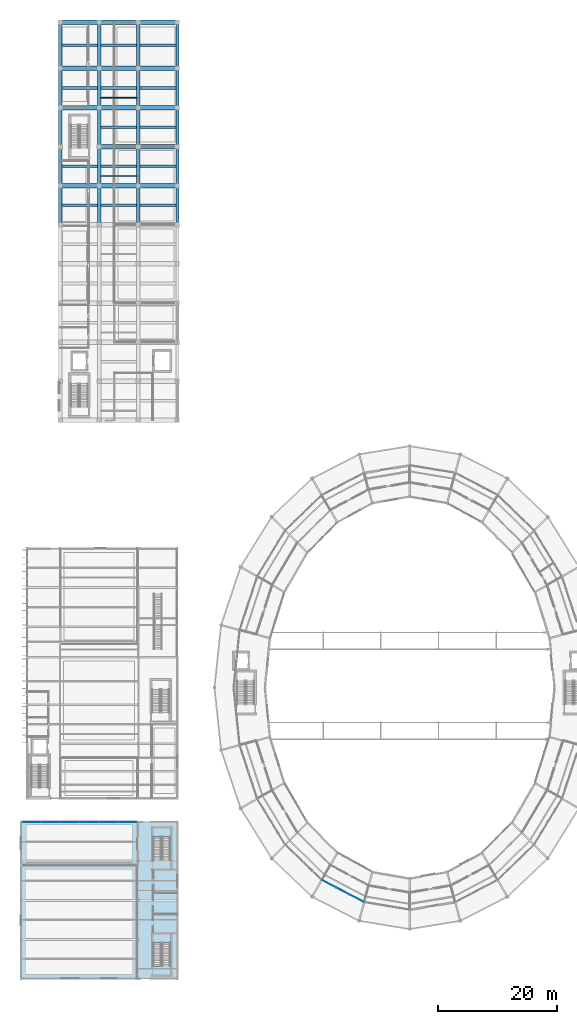
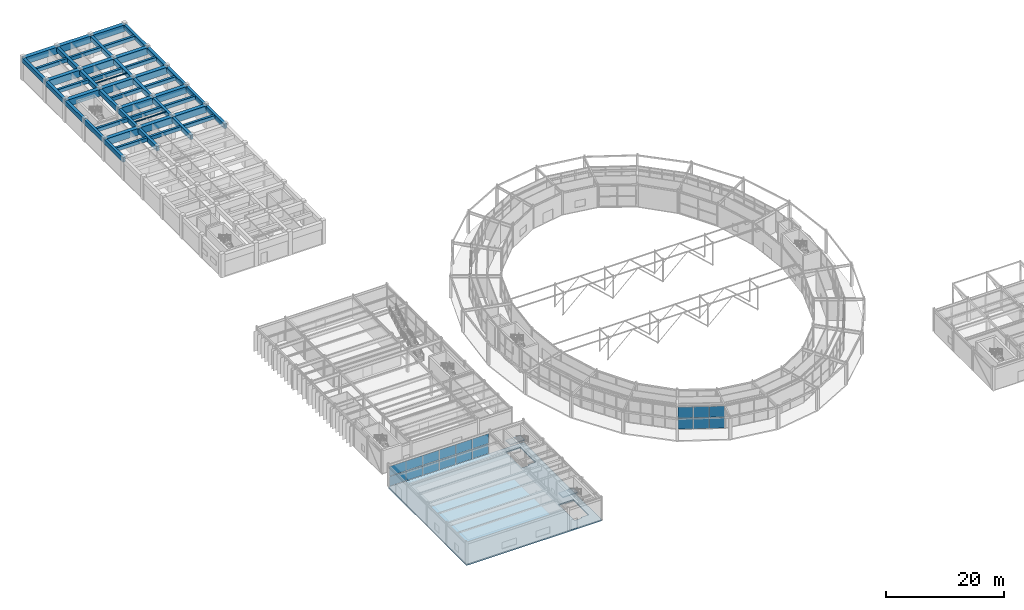
# One storey, part 99 of 144: 50 beams, 18 plates, 3 slabs, 4 elements without a shape of their own.
"""IFC4 building model written with IfcOpenShell, lengths in metres."""

from ifc_helpers import new_model, si_unit, direction, frame, origin, origin_2d, place, context, subcontext, project, spatial, polyline, rectangle, i_section, outline, extrude, material, layer, layer_set, material_profile, profile_set, type_object, element, aggregate, save


model = new_model("IFC4")

# Units and contexts
model_context = context("Model", 3, precision=1e-05, world=origin(), true_north=direction((0.0, 1.0)))
body_context = subcontext(model_context, "Body", "Model", "MODEL_VIEW")
ifc_project = project(units=[si_unit("LENGTHUNIT", "METRE"), si_unit("AREAUNIT", "SQUARE_METRE"), si_unit("VOLUMEUNIT", "CUBIC_METRE"), si_unit("PLANEANGLEUNIT", "RADIAN"), si_unit("MASSUNIT", "GRAM", prefix="KILO")], contexts=[model_context])

# Site, building, storey
site_placement = place(None, origin())
site = spatial("IfcSite", under=ifc_project, at=site_placement, CompositionType="ELEMENT")
building_placement = place(site_placement, origin())
building = spatial("IfcBuilding", under=site, at=building_placement, Name="Karori Crest Natural Sciences Institute", CompositionType="ELEMENT")
storey_placement = place(building_placement, origin())
storey = spatial("IfcBuildingStorey", under=building, at=storey_placement, Name="L00", CompositionType="ELEMENT", Elevation=0.0)

# Beams
ifc_material_1 = material(Name="Concrete 50 MPa", Category="concrete")
ifc_material_profile_1 = material_profile(ifc_material_1, rectangle(XDim=0.75, YDim=1.39990234375, at=origin_2d()), Name="RCB750x1400")
ifc_profile_set_1 = profile_set([ifc_material_profile_1], Name="Concrete 50 MPa")
beam_type_1 = type_object("IfcBeamType", Name="BT-17", PredefinedType="BEAM", material=ifc_profile_set_1)
for number, where, z_axis, x_axis, name in (
    (1, (7.39990234375, 162.199951171875, 3.85009765625), (1.0, 0.0, 0.0), (0.0, 1.0, 0.0), "Beam B-1375"),
    (2, (14.0, 162.199951171875, 3.85009765625), (1.0, 0.0, 0.0), (0.0, 1.0, 0.0), "Beam B-1376"),
):
    element("IfcBeam", number, at=place(storey_placement, frame(where, z_axis=z_axis, x_axis=x_axis)), inside=storey, type_object=beam_type_1, Name=name, PredefinedType="BEAM", context=body_context, shape_type="SweptSolid", body=[
        extrude(rectangle(XDim=0.75, YDim=1.39990234375, at=origin_2d()), origin(), (0.0, 0.0, 1.0), 6.60009765625),
    ])
beam_1_placement = place(storey_placement, frame((20.60009765625, 162.199951171875, 3.85009765625), z_axis=(1.0, 0.0, 0.0), x_axis=(0.0, 1.0, 0.0)))
element("IfcBeam", 3, at=beam_1_placement, inside=storey, type_object=beam_type_1, Name="Beam B-1377", PredefinedType="BEAM", context=body_context, shape_type="SweptSolid", body=[
    extrude(rectangle(XDim=0.75, YDim=1.39990234375, at=origin_2d()), origin(), (0.0, 0.0, 1.0), 6.599853515625),
])
ifc_material_profile_2 = material_profile(ifc_material_1, rectangle(XDim=0.75, YDim=1.39990234375, at=origin_2d()), Name="RCB750x1400")
ifc_profile_set_2 = profile_set([ifc_material_profile_2], Name="Concrete 50 MPa")
beam_type_2 = type_object("IfcBeamType", Name="BT-17-IL", PredefinedType="BEAM", material=ifc_profile_set_2)
for number, where, z_axis, x_axis, name in (
    (4, (7.39990234375, 134.60009765625, 3.85009765625), (1.0, 0.0, 0.0), (0.0, 1.0, 0.0), "Beam B-1364"),
    (5, (14.0, 134.60009765625, 3.85009765625), (1.0, 0.0, 0.0), (0.0, 1.0, 0.0), "Beam B-1365"),
):
    element("IfcBeam", number, at=place(storey_placement, frame(where, z_axis=z_axis, x_axis=x_axis)), inside=storey, type_object=beam_type_2, Name=name, PredefinedType="BEAM", context=body_context, shape_type="SweptSolid", body=[
        extrude(rectangle(XDim=0.75, YDim=1.39990234375, at=origin_2d()), origin(), (0.0, 0.0, 1.0), 6.60009765625),
    ])
beam_2_placement = place(storey_placement, frame((20.60009765625, 134.60009765625, 3.85009765625), z_axis=(1.0, 0.0, 0.0), x_axis=(0.0, 1.0, 0.0)))
element("IfcBeam", 6, at=beam_2_placement, inside=storey, type_object=beam_type_2, Name="Beam B-1366", PredefinedType="BEAM", context=body_context, shape_type="SweptSolid", body=[
    extrude(rectangle(XDim=0.75, YDim=1.39990234375, at=origin_2d()), origin(), (0.0, 0.0, 1.0), 6.599853515625),
])
beam_3_placement = place(storey_placement, frame((14.0, 141.199951171875, 3.85009765625), z_axis=(1.0, 0.0, 0.0), x_axis=(0.0, 1.0, 0.0)))
element("IfcBeam", 7, at=beam_3_placement, inside=storey, type_object=beam_type_2, Name="Beam B-1367", PredefinedType="BEAM", context=body_context, shape_type="SweptSolid", body=[
    extrude(rectangle(XDim=0.75, YDim=1.39990234375, at=origin_2d()), origin(), (0.0, 0.0, 1.0), 6.60009765625),
])
beam_4_placement = place(storey_placement, frame((20.60009765625, 141.199951171875, 3.85009765625), z_axis=(1.0, 0.0, 0.0), x_axis=(0.0, 1.0, 0.0)))
element("IfcBeam", 8, at=beam_4_placement, inside=storey, type_object=beam_type_2, Name="Beam B-1368", PredefinedType="BEAM", context=body_context, shape_type="SweptSolid", body=[
    extrude(rectangle(XDim=0.75, YDim=1.39990234375, at=origin_2d()), origin(), (0.0, 0.0, 1.0), 6.599853515625),
])
for number, where, z_axis, x_axis, name in (
    (9, (7.39990234375, 147.800048828125, 3.85009765625), (1.0, 0.0, 0.0), (0.0, 1.0, 0.0), "Beam B-1369"),
    (10, (14.0, 147.800048828125, 3.85009765625), (1.0, 0.0, 0.0), (0.0, 1.0, 0.0), "Beam B-1370"),
):
    element("IfcBeam", number, at=place(storey_placement, frame(where, z_axis=z_axis, x_axis=x_axis)), inside=storey, type_object=beam_type_2, Name=name, PredefinedType="BEAM", context=body_context, shape_type="SweptSolid", body=[
        extrude(rectangle(XDim=0.75, YDim=1.39990234375, at=origin_2d()), origin(), (0.0, 0.0, 1.0), 6.60009765625),
    ])
beam_5_placement = place(storey_placement, frame((20.60009765625, 147.800048828125, 3.85009765625), z_axis=(1.0, 0.0, 0.0), x_axis=(0.0, 1.0, 0.0)))
element("IfcBeam", 11, at=beam_5_placement, inside=storey, type_object=beam_type_2, Name="Beam B-1371", PredefinedType="BEAM", context=body_context, shape_type="SweptSolid", body=[
    extrude(rectangle(XDim=0.75, YDim=1.39990234375, at=origin_2d()), origin(), (0.0, 0.0, 1.0), 6.599853515625),
])
for number, where, z_axis, x_axis, name in (
    (12, (7.39990234375, 154.39990234375, 3.85009765625), (1.0, 0.0, 0.0), (0.0, 1.0, 0.0), "Beam B-1372"),
    (13, (14.0, 154.39990234375, 3.85009765625), (1.0, 0.0, 0.0), (0.0, 1.0, 0.0), "Beam B-1373"),
):
    element("IfcBeam", number, at=place(storey_placement, frame(where, z_axis=z_axis, x_axis=x_axis)), inside=storey, type_object=beam_type_2, Name=name, PredefinedType="BEAM", context=body_context, shape_type="SweptSolid", body=[
        extrude(rectangle(XDim=0.75, YDim=1.39990234375, at=origin_2d()), origin(), (0.0, 0.0, 1.0), 6.60009765625),
    ])
beam_6_placement = place(storey_placement, frame((20.60009765625, 154.39990234375, 3.85009765625), z_axis=(1.0, 0.0, 0.0), x_axis=(0.0, 1.0, 0.0)))
element("IfcBeam", 14, at=beam_6_placement, inside=storey, type_object=beam_type_2, Name="Beam B-1374", PredefinedType="BEAM", context=body_context, shape_type="SweptSolid", body=[
    extrude(rectangle(XDim=0.75, YDim=1.39990234375, at=origin_2d()), origin(), (0.0, 0.0, 1.0), 6.599853515625),
])
ifc_material_2 = material(Name="Structural steel AS/NZS 3679.1 Grade 350", Category="steel")
ifc_material_profile_3 = material_profile(ifc_material_2, i_section(OverallWidth=0.090087890625, OverallDepth=0.178955078125, WebThickness=0.006103515625, FlangeThickness=0.010009765625, FilletRadius=0.009033203125, at=origin_2d()), Name="180UB22.2")
ifc_profile_set_3 = profile_set([ifc_material_profile_3], Name="Structural steel AS/NZS 3679.1 Grade 350")
beam_type_3 = type_object("IfcBeamType", Name="BT-24", PredefinedType="LINTEL", material=ifc_profile_set_3)
beam_7_placement = place(storey_placement, frame((14.27490234375, 136.25, 4.46044921875), z_axis=(1.0, 0.0, 0.0), x_axis=(0.0, 1.0, 0.0)))
element("IfcBeam", 15, at=beam_7_placement, inside=storey, type_object=beam_type_3, Name="Beam B-1435", PredefinedType="LINTEL", context=body_context, shape_type="SweptSolid", body=[
    extrude(i_section(OverallWidth=0.090087890625, OverallDepth=0.178955078125, WebThickness=0.006103515625, FlangeThickness=0.010009765625, FilletRadius=0.009033203125, at=origin_2d()), origin(), (0.0, 0.0, 1.0), 6.050048828125),
])
ifc_material_profile_4 = material_profile(ifc_material_2, i_section(OverallWidth=0.090087890625, OverallDepth=0.175048828125, WebThickness=0.0048828125, FlangeThickness=0.008056640625, FilletRadius=0.009033203125, at=origin_2d()), Name="180UB18.1")
ifc_profile_set_4 = profile_set([ifc_material_profile_4], Name="Structural steel AS/NZS 3679.1 Grade 350")
beam_type_4 = type_object("IfcBeamType", Name="BT-31", PredefinedType="LINTEL", material=ifc_profile_set_4)
beam_8_placement = place(storey_placement, frame((14.27490234375, 149.449951171875, 4.46240234375), z_axis=(1.0, 0.0, 0.0), x_axis=(0.0, 1.0, 0.0)))
element("IfcBeam", 16, at=beam_8_placement, inside=storey, type_object=beam_type_4, Name="Beam B-1438", PredefinedType="LINTEL", context=body_context, shape_type="SweptSolid", body=[
    extrude(i_section(OverallWidth=0.090087890625, OverallDepth=0.175048828125, WebThickness=0.0048828125, FlangeThickness=0.008056640625, FilletRadius=0.009033203125, at=origin_2d()), origin(), (0.0, 0.0, 1.0), 6.050048828125),
])
ifc_material_profile_5 = material_profile(ifc_material_1, rectangle(XDim=0.550048828125, YDim=0.949951171875, at=origin_2d()), Name="RCB550x950")
ifc_profile_set_5 = profile_set([ifc_material_profile_5], Name="Concrete 50 MPa")
beam_type_5 = type_object("IfcBeamType", Name="BT-34", PredefinedType="BEAM", material=ifc_profile_set_5)
beam_9_placement = place(storey_placement, frame((7.39990234375, 128.0, 4.074951171875), z_axis=(0.0, 1.0, 0.0), x_axis=(-1.0, 0.0, 0.0)))
element("IfcBeam", 17, at=beam_9_placement, inside=storey, type_object=beam_type_5, Name="Beam B-1383", PredefinedType="BEAM", context=body_context, shape_type="SweptSolid", body=[
    extrude(rectangle(XDim=0.550048828125, YDim=0.949951171875, at=origin_2d()), origin(), (0.0, 0.0, 1.0), 6.60009765625),
])
beam_10_placement = place(storey_placement, frame((7.39990234375, 134.60009765625, 4.074951171875), z_axis=(0.0, 1.0, 0.0), x_axis=(-1.0, 0.0, 0.0)))
element("IfcBeam", 18, at=beam_10_placement, inside=storey, type_object=beam_type_5, Name="Beam B-1384", PredefinedType="BEAM", context=body_context, shape_type="SweptSolid", body=[
    extrude(rectangle(XDim=0.550048828125, YDim=0.949951171875, at=origin_2d()), origin(), (0.0, 0.0, 1.0), 6.599853515625),
])
beam_11_placement = place(storey_placement, frame((7.39990234375, 141.199951171875, 4.074951171875), z_axis=(0.0, 1.0, 0.0), x_axis=(-1.0, 0.0, 0.0)))
element("IfcBeam", 19, at=beam_11_placement, inside=storey, type_object=beam_type_5, Name="Beam B-1385", PredefinedType="BEAM", context=body_context, shape_type="SweptSolid", body=[
    extrude(rectangle(XDim=0.550048828125, YDim=0.949951171875, at=origin_2d()), origin(), (0.0, 0.0, 1.0), 6.60009765625),
])
beam_12_placement = place(storey_placement, frame((7.39990234375, 147.800048828125, 4.074951171875), z_axis=(0.0, 1.0, 0.0), x_axis=(-1.0, 0.0, 0.0)))
element("IfcBeam", 20, at=beam_12_placement, inside=storey, type_object=beam_type_5, Name="Beam B-1386", PredefinedType="BEAM", context=body_context, shape_type="SweptSolid", body=[
    extrude(rectangle(XDim=0.550048828125, YDim=0.949951171875, at=origin_2d()), origin(), (0.0, 0.0, 1.0), 6.599853515625),
])
beam_13_placement = place(storey_placement, frame((7.39990234375, 154.39990234375, 4.074951171875), z_axis=(0.0, 1.0, 0.0), x_axis=(-1.0, 0.0, 0.0)))
element("IfcBeam", 21, at=beam_13_placement, inside=storey, type_object=beam_type_5, Name="Beam B-1387", PredefinedType="BEAM", context=body_context, shape_type="SweptSolid", body=[
    extrude(rectangle(XDim=0.550048828125, YDim=0.949951171875, at=origin_2d()), origin(), (0.0, 0.0, 1.0), 7.800048828125),
])
beam_14_placement = place(storey_placement, frame((27.199951171875, 128.0, 4.074951171875), z_axis=(0.0, 1.0, 0.0), x_axis=(-1.0, 0.0, 0.0)))
element("IfcBeam", 22, at=beam_14_placement, inside=storey, type_object=beam_type_5, Name="Beam B-1413", PredefinedType="BEAM", context=body_context, shape_type="SweptSolid", body=[
    extrude(rectangle(XDim=0.550048828125, YDim=0.949951171875, at=origin_2d()), origin(), (0.0, 0.0, 1.0), 6.60009765625),
])
beam_15_placement = place(storey_placement, frame((27.199951171875, 134.60009765625, 4.074951171875), z_axis=(0.0, 1.0, 0.0), x_axis=(-1.0, 0.0, 0.0)))
element("IfcBeam", 23, at=beam_15_placement, inside=storey, type_object=beam_type_5, Name="Beam B-1414", PredefinedType="BEAM", context=body_context, shape_type="SweptSolid", body=[
    extrude(rectangle(XDim=0.550048828125, YDim=0.949951171875, at=origin_2d()), origin(), (0.0, 0.0, 1.0), 6.599853515625),
])
beam_16_placement = place(storey_placement, frame((27.199951171875, 141.199951171875, 4.074951171875), z_axis=(0.0, 1.0, 0.0), x_axis=(-1.0, 0.0, 0.0)))
element("IfcBeam", 24, at=beam_16_placement, inside=storey, type_object=beam_type_5, Name="Beam B-1415", PredefinedType="BEAM", context=body_context, shape_type="SweptSolid", body=[
    extrude(rectangle(XDim=0.550048828125, YDim=0.949951171875, at=origin_2d()), origin(), (0.0, 0.0, 1.0), 6.60009765625),
])
beam_17_placement = place(storey_placement, frame((27.199951171875, 147.800048828125, 4.074951171875), z_axis=(0.0, 1.0, 0.0), x_axis=(-1.0, 0.0, 0.0)))
element("IfcBeam", 25, at=beam_17_placement, inside=storey, type_object=beam_type_5, Name="Beam B-1416", PredefinedType="BEAM", context=body_context, shape_type="SweptSolid", body=[
    extrude(rectangle(XDim=0.550048828125, YDim=0.949951171875, at=origin_2d()), origin(), (0.0, 0.0, 1.0), 6.599853515625),
])
beam_18_placement = place(storey_placement, frame((27.199951171875, 154.39990234375, 4.074951171875), z_axis=(0.0, 1.0, 0.0), x_axis=(-1.0, 0.0, 0.0)))
element("IfcBeam", 26, at=beam_18_placement, inside=storey, type_object=beam_type_5, Name="Beam B-1417", PredefinedType="BEAM", context=body_context, shape_type="SweptSolid", body=[
    extrude(rectangle(XDim=0.550048828125, YDim=0.949951171875, at=origin_2d()), origin(), (0.0, 0.0, 1.0), 7.800048828125),
])
ifc_material_profile_6 = material_profile(ifc_material_1, rectangle(XDim=0.550048828125, YDim=0.949951171875, at=origin_2d()), Name="RCB550x950")
ifc_profile_set_6 = profile_set([ifc_material_profile_6], Name="Concrete 50 MPa")
beam_type_6 = type_object("IfcBeamType", Name="BT-34-IL", PredefinedType="BEAM", material=ifc_profile_set_6)
beam_19_placement = place(storey_placement, frame((14.0, 128.0, 4.074951171875), z_axis=(0.0, 1.0, 0.0), x_axis=(-1.0, 0.0, 0.0)))
element("IfcBeam", 27, at=beam_19_placement, inside=storey, type_object=beam_type_6, Name="Beam B-1393", PredefinedType="BEAM", context=body_context, shape_type="SweptSolid", body=[
    extrude(rectangle(XDim=0.550048828125, YDim=0.949951171875, at=origin_2d()), origin(), (0.0, 0.0, 1.0), 6.60009765625),
])
beam_20_placement = place(storey_placement, frame((14.0, 134.60009765625, 4.074951171875), z_axis=(0.0, 1.0, 0.0), x_axis=(-1.0, 0.0, 0.0)))
element("IfcBeam", 28, at=beam_20_placement, inside=storey, type_object=beam_type_6, Name="Beam B-1394", PredefinedType="BEAM", context=body_context, shape_type="SweptSolid", body=[
    extrude(rectangle(XDim=0.550048828125, YDim=0.949951171875, at=origin_2d()), origin(), (0.0, 0.0, 1.0), 6.599853515625),
])
beam_21_placement = place(storey_placement, frame((14.0, 141.199951171875, 4.074951171875), z_axis=(0.0, 1.0, 0.0), x_axis=(-1.0, 0.0, 0.0)))
element("IfcBeam", 29, at=beam_21_placement, inside=storey, type_object=beam_type_6, Name="Beam B-1395", PredefinedType="BEAM", context=body_context, shape_type="SweptSolid", body=[
    extrude(rectangle(XDim=0.550048828125, YDim=0.949951171875, at=origin_2d()), origin(), (0.0, 0.0, 1.0), 6.60009765625),
])
beam_22_placement = place(storey_placement, frame((14.0, 147.800048828125, 4.074951171875), z_axis=(0.0, 1.0, 0.0), x_axis=(-1.0, 0.0, 0.0)))
element("IfcBeam", 30, at=beam_22_placement, inside=storey, type_object=beam_type_6, Name="Beam B-1396", PredefinedType="BEAM", context=body_context, shape_type="SweptSolid", body=[
    extrude(rectangle(XDim=0.550048828125, YDim=0.949951171875, at=origin_2d()), origin(), (0.0, 0.0, 1.0), 6.599853515625),
])
beam_23_placement = place(storey_placement, frame((14.0, 154.39990234375, 4.074951171875), z_axis=(0.0, 1.0, 0.0), x_axis=(-1.0, 0.0, 0.0)))
element("IfcBeam", 31, at=beam_23_placement, inside=storey, type_object=beam_type_6, Name="Beam B-1397", PredefinedType="BEAM", context=body_context, shape_type="SweptSolid", body=[
    extrude(rectangle(XDim=0.550048828125, YDim=0.949951171875, at=origin_2d()), origin(), (0.0, 0.0, 1.0), 7.800048828125),
])
beam_24_placement = place(storey_placement, frame((20.60009765625, 128.0, 4.074951171875), z_axis=(0.0, 1.0, 0.0), x_axis=(-1.0, 0.0, 0.0)))
element("IfcBeam", 32, at=beam_24_placement, inside=storey, type_object=beam_type_6, Name="Beam B-1403", PredefinedType="BEAM", context=body_context, shape_type="SweptSolid", body=[
    extrude(rectangle(XDim=0.550048828125, YDim=0.949951171875, at=origin_2d()), origin(), (0.0, 0.0, 1.0), 6.60009765625),
])
beam_25_placement = place(storey_placement, frame((20.60009765625, 134.60009765625, 4.074951171875), z_axis=(0.0, 1.0, 0.0), x_axis=(-1.0, 0.0, 0.0)))
element("IfcBeam", 33, at=beam_25_placement, inside=storey, type_object=beam_type_6, Name="Beam B-1404", PredefinedType="BEAM", context=body_context, shape_type="SweptSolid", body=[
    extrude(rectangle(XDim=0.550048828125, YDim=0.949951171875, at=origin_2d()), origin(), (0.0, 0.0, 1.0), 6.599853515625),
])
beam_26_placement = place(storey_placement, frame((20.60009765625, 141.199951171875, 4.074951171875), z_axis=(0.0, 1.0, 0.0), x_axis=(-1.0, 0.0, 0.0)))
element("IfcBeam", 34, at=beam_26_placement, inside=storey, type_object=beam_type_6, Name="Beam B-1405", PredefinedType="BEAM", context=body_context, shape_type="SweptSolid", body=[
    extrude(rectangle(XDim=0.550048828125, YDim=0.949951171875, at=origin_2d()), origin(), (0.0, 0.0, 1.0), 6.60009765625),
])
beam_27_placement = place(storey_placement, frame((20.60009765625, 147.800048828125, 4.074951171875), z_axis=(0.0, 1.0, 0.0), x_axis=(-1.0, 0.0, 0.0)))
element("IfcBeam", 35, at=beam_27_placement, inside=storey, type_object=beam_type_6, Name="Beam B-1406", PredefinedType="BEAM", context=body_context, shape_type="SweptSolid", body=[
    extrude(rectangle(XDim=0.550048828125, YDim=0.949951171875, at=origin_2d()), origin(), (0.0, 0.0, 1.0), 6.599853515625),
])
beam_28_placement = place(storey_placement, frame((20.60009765625, 154.39990234375, 4.074951171875), z_axis=(0.0, 1.0, 0.0), x_axis=(-1.0, 0.0, 0.0)))
element("IfcBeam", 36, at=beam_28_placement, inside=storey, type_object=beam_type_6, Name="Beam B-1407", PredefinedType="BEAM", context=body_context, shape_type="SweptSolid", body=[
    extrude(rectangle(XDim=0.550048828125, YDim=0.949951171875, at=origin_2d()), origin(), (0.0, 0.0, 1.0), 7.800048828125),
])
ifc_material_profile_7 = material_profile(ifc_material_1, rectangle(XDim=0.449951171875, YDim=0.75, at=origin_2d()), Name="RCB450x750")
ifc_profile_set_7 = profile_set([ifc_material_profile_7], Name="Concrete 50 MPa")
beam_type_7 = type_object("IfcBeamType", Name="BT-35", PredefinedType="BEAM", material=ifc_profile_set_7)
for number, where, z_axis, x_axis, name in (
    (37, (7.675048828125, 131.300048828125, 4.175048828125), (1.0, 0.0, 0.0), (0.0, 1.0, 0.0), "Beam B-1421"),
    (38, (7.675048828125, 137.89990234375, 4.175048828125), (1.0, 0.0, 0.0), (0.0, 1.0, 0.0), "Beam B-1422"),
    (39, (7.675048828125, 151.10009765625, 4.175048828125), (1.0, 0.0, 0.0), (0.0, 1.0, 0.0), "Beam B-1423"),
    (40, (7.675048828125, 158.300048828125, 4.175048828125), (1.0, 0.0, 0.0), (0.0, 1.0, 0.0), "Beam B-1424"),
    (41, (14.27490234375, 131.300048828125, 4.175048828125), (1.0, 0.0, 0.0), (0.0, 1.0, 0.0), "Beam B-1433"),
    (42, (14.27490234375, 137.89990234375, 4.175048828125), (1.0, 0.0, 0.0), (0.0, 1.0, 0.0), "Beam B-1434"),
    (43, (14.27490234375, 144.5, 4.175048828125), (1.0, 0.0, 0.0), (0.0, 1.0, 0.0), "Beam B-1436"),
    (44, (14.27490234375, 151.10009765625, 4.175048828125), (1.0, 0.0, 0.0), (0.0, 1.0, 0.0), "Beam B-1437"),
    (45, (14.27490234375, 158.300048828125, 4.175048828125), (1.0, 0.0, 0.0), (0.0, 1.0, 0.0), "Beam B-1439"),
    (46, (20.875, 131.300048828125, 4.175048828125), (1.0, 0.0, 0.0), (0.0, 1.0, 0.0), "Beam B-1444"),
    (47, (20.875, 137.89990234375, 4.175048828125), (1.0, 0.0, 0.0), (0.0, 1.0, 0.0), "Beam B-1445"),
    (48, (20.875, 144.5, 4.175048828125), (1.0, 0.0, 0.0), (0.0, 1.0, 0.0), "Beam B-1446"),
    (49, (20.875, 151.10009765625, 4.175048828125), (1.0, 0.0, 0.0), (0.0, 1.0, 0.0), "Beam B-1447"),
    (50, (20.875, 158.300048828125, 4.175048828125), (1.0, 0.0, 0.0), (0.0, 1.0, 0.0), "Beam B-1448"),
):
    element("IfcBeam", number, at=place(storey_placement, frame(where, z_axis=z_axis, x_axis=x_axis)), inside=storey, type_object=beam_type_7, Name=name, PredefinedType="BEAM", context=body_context, shape_type="SweptSolid", body=[
        extrude(rectangle(XDim=0.449951171875, YDim=0.75, at=origin_2d()), origin(), (0.0, 0.0, 1.0), 6.050048828125),
    ])

# Curtain wall, plates
ifc_material_3 = material(Name="Anodised architectural aluminium 6063-T6", Category="aluminium")
curtain_wall_type_1 = type_object("IfcCurtainWallType", Name="CWT-16", PredefinedType="NOTDEFINED", material=ifc_material_3)
curtain_wall_1_placement = place(storey_placement, origin())
curtain_wall_1 = element("IfcCurtainWall", 51, at=curtain_wall_1_placement, inside=storey, type_object=curtain_wall_type_1, Name="Curtain wall CW-0251", PredefinedType="NOTDEFINED")
ifc_material_4 = material(Name="Double low-E laminated glass", Category="glass")
ifc_layer_1 = layer(ifc_material_4, 0.02392578125, Name="Double low-E laminated glass")
ifc_layer_set_1 = layer_set([ifc_layer_1], Name="Double low-E laminated glass")
plate_type_1 = type_object("IfcPlateType", Name="CWP-01", PredefinedType="CURTAIN_PANEL", material=ifc_layer_set_1)
plate_1_placement = place(storey_placement, frame((2.6103515625, 27.199951171875, 0.06005859375), z_axis=(0.0, 0.0, 1.0), x_axis=(1.0, 0.0, 0.0)))
plate_1 = element("IfcPlate", 52, at=plate_1_placement, type_object=plate_type_1, Name="CW-0251 panel 1.1", PredefinedType="CURTAIN_PANEL", context=body_context, shape_type="SweptSolid", body=[
    extrude(rectangle(XDim=3.144775390625, YDim=0.02392578125, at=origin_2d()), origin(), (0.0, 0.0, 1.0), 2.012451171875),
])
plate_2_placement = place(storey_placement, frame((2.6103515625, 27.199951171875, 2.13232421875), z_axis=(0.0, 0.0, 1.0), x_axis=(1.0, 0.0, 0.0)))
plate_2 = element("IfcPlate", 53, at=plate_2_placement, type_object=plate_type_1, Name="CW-0251 panel 1.2", PredefinedType="CURTAIN_PANEL", context=body_context, shape_type="SweptSolid", body=[
    extrude(rectangle(XDim=3.144775390625, YDim=0.02392578125, at=origin_2d()), origin(), (0.0, 0.0, 1.0), 2.012451171875),
])
plate_3_placement = place(storey_placement, frame((5.83642578125, 27.199951171875, 0.06005859375), z_axis=(0.0, 0.0, 1.0), x_axis=(1.0, 0.0, 0.0)))
plate_3 = element("IfcPlate", 54, at=plate_3_placement, type_object=plate_type_1, Name="CW-0251 panel 2.1", PredefinedType="CURTAIN_PANEL", context=body_context, shape_type="SweptSolid", body=[
    extrude(rectangle(XDim=3.17724609375, YDim=0.02392578125, at=origin_2d()), origin(), (0.0, 0.0, 1.0), 2.012451171875),
])
plate_4_placement = place(storey_placement, frame((5.83642578125, 27.199951171875, 2.13232421875), z_axis=(0.0, 0.0, 1.0), x_axis=(1.0, 0.0, 0.0)))
plate_4 = element("IfcPlate", 55, at=plate_4_placement, type_object=plate_type_1, Name="CW-0251 panel 2.2", PredefinedType="CURTAIN_PANEL", context=body_context, shape_type="SweptSolid", body=[
    extrude(rectangle(XDim=3.17724609375, YDim=0.02392578125, at=origin_2d()), origin(), (0.0, 0.0, 1.0), 2.012451171875),
])
plate_5_placement = place(storey_placement, frame((9.078857421875, 27.199951171875, 0.06005859375), z_axis=(0.0, 0.0, 1.0), x_axis=(1.0, 0.0, 0.0)))
plate_5 = element("IfcPlate", 56, at=plate_5_placement, type_object=plate_type_1, Name="CW-0251 panel 3.1", PredefinedType="CURTAIN_PANEL", context=body_context, shape_type="SweptSolid", body=[
    extrude(rectangle(XDim=3.17724609375, YDim=0.02392578125, at=origin_2d()), origin(), (0.0, 0.0, 1.0), 2.012451171875),
])
plate_6_placement = place(storey_placement, frame((9.078857421875, 27.199951171875, 2.13232421875), z_axis=(0.0, 0.0, 1.0), x_axis=(1.0, 0.0, 0.0)))
plate_6 = element("IfcPlate", 57, at=plate_6_placement, type_object=plate_type_1, Name="CW-0251 panel 3.2", PredefinedType="CURTAIN_PANEL", context=body_context, shape_type="SweptSolid", body=[
    extrude(rectangle(XDim=3.17724609375, YDim=0.02392578125, at=origin_2d()), origin(), (0.0, 0.0, 1.0), 2.012451171875),
])
plate_7_placement = place(storey_placement, frame((12.321044921875, 27.199951171875, 0.06005859375), z_axis=(0.0, 0.0, 1.0), x_axis=(1.0, 0.0, 0.0)))
plate_7 = element("IfcPlate", 58, at=plate_7_placement, type_object=plate_type_1, Name="CW-0251 panel 4.1", PredefinedType="CURTAIN_PANEL", context=body_context, shape_type="SweptSolid", body=[
    extrude(rectangle(XDim=3.17724609375, YDim=0.02392578125, at=origin_2d()), origin(), (0.0, 0.0, 1.0), 2.012451171875),
])
plate_8_placement = place(storey_placement, frame((12.321044921875, 27.199951171875, 2.13232421875), z_axis=(0.0, 0.0, 1.0), x_axis=(1.0, 0.0, 0.0)))
plate_8 = element("IfcPlate", 59, at=plate_8_placement, type_object=plate_type_1, Name="CW-0251 panel 4.2", PredefinedType="CURTAIN_PANEL", context=body_context, shape_type="SweptSolid", body=[
    extrude(rectangle(XDim=3.17724609375, YDim=0.02392578125, at=origin_2d()), origin(), (0.0, 0.0, 1.0), 2.012451171875),
])
plate_9_placement = place(storey_placement, frame((15.5634765625, 27.199951171875, 0.06005859375), z_axis=(0.0, 0.0, 1.0), x_axis=(1.0, 0.0, 0.0)))
plate_9 = element("IfcPlate", 60, at=plate_9_placement, type_object=plate_type_1, Name="CW-0251 panel 5.1", PredefinedType="CURTAIN_PANEL", context=body_context, shape_type="SweptSolid", body=[
    extrude(rectangle(XDim=3.17724609375, YDim=0.02392578125, at=origin_2d()), origin(), (0.0, 0.0, 1.0), 2.012451171875),
])
plate_10_placement = place(storey_placement, frame((15.5634765625, 27.199951171875, 2.13232421875), z_axis=(0.0, 0.0, 1.0), x_axis=(1.0, 0.0, 0.0)))
plate_10 = element("IfcPlate", 61, at=plate_10_placement, type_object=plate_type_1, Name="CW-0251 panel 5.2", PredefinedType="CURTAIN_PANEL", context=body_context, shape_type="SweptSolid", body=[
    extrude(rectangle(XDim=3.17724609375, YDim=0.02392578125, at=origin_2d()), origin(), (0.0, 0.0, 1.0), 2.012451171875),
])
plate_11_placement = place(storey_placement, frame((18.78955078125, 27.199951171875, 0.06005859375), z_axis=(0.0, 0.0, 1.0), x_axis=(1.0, 0.0, 0.0)))
plate_11 = element("IfcPlate", 62, at=plate_11_placement, type_object=plate_type_1, Name="CW-0251 panel 6.1", PredefinedType="CURTAIN_PANEL", context=body_context, shape_type="SweptSolid", body=[
    extrude(rectangle(XDim=3.144775390625, YDim=0.02392578125, at=origin_2d()), origin(), (0.0, 0.0, 1.0), 2.012451171875),
])
plate_12_placement = place(storey_placement, frame((18.78955078125, 27.199951171875, 2.13232421875), z_axis=(0.0, 0.0, 1.0), x_axis=(1.0, 0.0, 0.0)))
plate_12 = element("IfcPlate", 63, at=plate_12_placement, type_object=plate_type_1, Name="CW-0251 panel 6.2", PredefinedType="CURTAIN_PANEL", context=body_context, shape_type="SweptSolid", body=[
    extrude(rectangle(XDim=3.144775390625, YDim=0.02392578125, at=origin_2d()), origin(), (0.0, 0.0, 1.0), 2.012451171875),
])
aggregate(curtain_wall_1, [plate_1, plate_2, plate_3, plate_4, plate_5, plate_6, plate_7, plate_8, plate_9, plate_10, plate_11, plate_12])

curtain_wall_type_2 = type_object("IfcCurtainWallType", Name="CWT-07", PredefinedType="NOTDEFINED", material=ifc_material_3)
curtain_wall_2_placement = place(storey_placement, origin())
curtain_wall_2 = element("IfcCurtainWall", 64, at=curtain_wall_2_placement, inside=storey, type_object=curtain_wall_type_2, Name="Curtain wall CW-0021", PredefinedType="NOTDEFINED")
ifc_layer_2 = layer(ifc_material_4, 0.033935546875, Name="Double low-E laminated glass")
ifc_layer_set_2 = layer_set([ifc_layer_2], Name="Double low-E laminated glass")
plate_type_2 = type_object("IfcPlateType", Name="CWP-02", PredefinedType="CURTAIN_PANEL", material=ifc_layer_set_2)
plate_13_placement = place(storey_placement, frame((57.49072265625, 14.317138671875, 0.06494140625), z_axis=(0.0, 0.0, 1.0), x_axis=(-0.88613575858, 0.46342574094, 0.0)))
plate_13 = element("IfcPlate", 65, at=plate_13_placement, type_object=plate_type_2, Name="CW-0021 panel 1.1", PredefinedType="CURTAIN_PANEL", context=body_context, shape_type="SweptSolid", body=[
    extrude(rectangle(XDim=2.568603515625, YDim=0.033935546875, at=origin_2d()), origin(), (0.0, 0.0, 1.0), 2.242431640625),
])
plate_14_placement = place(storey_placement, frame((57.49072265625, 14.317138671875, 2.37255859375), z_axis=(0.0, 0.0, 1.0), x_axis=(-0.88613575858, 0.46342574094, 0.0)))
plate_14 = element("IfcPlate", 66, at=plate_14_placement, type_object=plate_type_2, Name="CW-0021 panel 1.2", PredefinedType="CURTAIN_PANEL", context=body_context, shape_type="SweptSolid", body=[
    extrude(rectangle(XDim=2.568603515625, YDim=0.033935546875, at=origin_2d()), origin(), (0.0, 0.0, 1.0), 2.242431640625),
])
plate_15_placement = place(storey_placement, frame((55.131591796875, 15.55078125, 0.06494140625), z_axis=(0.0, 0.0, 1.0), x_axis=(-0.88613575858, 0.46342574094, 0.0)))
plate_15 = element("IfcPlate", 67, at=plate_15_placement, type_object=plate_type_2, Name="CW-0021 panel 2.1", PredefinedType="CURTAIN_PANEL", context=body_context, shape_type="SweptSolid", body=[
    extrude(rectangle(XDim=2.606201171875, YDim=0.033935546875, at=origin_2d()), origin(), (0.0, 0.0, 1.0), 2.242431640625),
])
plate_16_placement = place(storey_placement, frame((55.131591796875, 15.55078125, 2.37255859375), z_axis=(0.0, 0.0, 1.0), x_axis=(-0.88613575858, 0.46342574094, 0.0)))
plate_16 = element("IfcPlate", 68, at=plate_16_placement, type_object=plate_type_2, Name="CW-0021 panel 2.2", PredefinedType="CURTAIN_PANEL", context=body_context, shape_type="SweptSolid", body=[
    extrude(rectangle(XDim=2.606201171875, YDim=0.033935546875, at=origin_2d()), origin(), (0.0, 0.0, 1.0), 2.242431640625),
])
plate_17_placement = place(storey_placement, frame((52.772216796875, 16.78466796875, 0.06494140625), z_axis=(0.0, 0.0, 1.0), x_axis=(-0.88613575858, 0.46342574094, 0.0)))
plate_17 = element("IfcPlate", 69, at=plate_17_placement, type_object=plate_type_2, Name="CW-0021 panel 3.1", PredefinedType="CURTAIN_PANEL", context=body_context, shape_type="SweptSolid", body=[
    extrude(rectangle(XDim=2.568603515625, YDim=0.033935546875, at=origin_2d()), origin(), (0.0, 0.0, 1.0), 2.242431640625),
])
plate_18_placement = place(storey_placement, frame((52.772216796875, 16.78466796875, 2.37255859375), z_axis=(0.0, 0.0, 1.0), x_axis=(-0.88613575858, 0.46342574094, 0.0)))
plate_18 = element("IfcPlate", 70, at=plate_18_placement, type_object=plate_type_2, Name="CW-0021 panel 3.2", PredefinedType="CURTAIN_PANEL", context=body_context, shape_type="SweptSolid", body=[
    extrude(rectangle(XDim=2.568603515625, YDim=0.033935546875, at=origin_2d()), origin(), (0.0, 0.0, 1.0), 2.242431640625),
])
aggregate(curtain_wall_2, [plate_13, plate_14, plate_15, plate_16, plate_17, plate_18])

# Slab
ifc_material_5 = material(Name="Concrete 40 MPa", Category="concrete")
ifc_layer_3 = layer(ifc_material_5, 0.260009765625, Name="Concrete 40 MPa")
ifc_layer_set_3 = layer_set([ifc_layer_3], Name="Concrete 40 MPa")
slab_type_1 = type_object("IfcSlabType", Name="SLT-05", PredefinedType="FLOOR", material=ifc_layer_set_3)
slab_1_placement = place(storey_placement, frame((0.0, 0.0, -0.260009765625)))
element("IfcSlab", 71, at=slab_1_placement, inside=storey, type_object=slab_type_1, Name="V2 Slab SL-0112", PredefinedType="FLOOR", context=body_context, shape_type="SweptSolid", body=[
    extrude(outline(polyline([(0.800048828125, 0.800048828125), (27.199951171875, 0.800048828125), (27.199951171875, 27.199951171875), (0.800048828125, 27.199951171875), (0.800048828125, 0.800048828125)]), holes=[polyline([(26.0, 3.179931640625), (24.550048828125, 3.179931640625), (24.550048828125, 2.900390625), (23.10009765625, 2.900390625), (23.10009765625, 8.300048828125), (26.0, 8.300048828125), (26.0, 3.179931640625)]), polyline([(26.0, 21.080078125), (24.550048828125, 21.080078125), (24.550048828125, 20.800537109375), (23.10009765625, 20.800537109375), (23.10009765625, 26.199951171875), (26.0, 26.199951171875), (26.0, 21.080078125)])]), origin(), (0.0, 0.0, 1.0), 0.260009765625),
])

# Stair, slab
stair_type = type_object("IfcStairType", Name="STT-02", PredefinedType="HALF_TURN_STAIR", material=ifc_material_5)
stair_1_placement = place(storey_placement, origin())
stair_1 = element("IfcStair", 72, at=stair_1_placement, inside=storey, type_object=stair_type, Name="Protected stair ST-09-L00", PredefinedType="HALF_TURN_STAIR")
ifc_layer_4 = layer(ifc_material_5, 0.2099609375, Name="Concrete 40 MPa")
ifc_layer_set_4 = layer_set([ifc_layer_4], Name="Concrete 40 MPa")
slab_type_2 = type_object("IfcSlabType", Name="SLT-11", PredefinedType="LANDING", material=ifc_layer_set_4)
slab_2_placement = place(storey_placement, frame((0.0, 0.0, 2.239990234375)))
slab_2 = element("IfcSlab", 73, at=slab_2_placement, type_object=slab_type_2, Name="ST-09-L00 landing 1", PredefinedType="LANDING", context=body_context, shape_type="SweptSolid", body=[
    extrude(outline(polyline([(26.0, 6.800048828125), (26.0, 8.300048828125), (23.10009765625, 8.300048828125), (23.10009765625, 6.800048828125), (26.0, 6.800048828125)])), origin(), (0.0, 0.0, 1.0), 0.2099609375),
])
aggregate(stair_1, [slab_2])

stair_2_placement = place(storey_placement, origin())
stair_2 = element("IfcStair", 74, at=stair_2_placement, inside=storey, type_object=stair_type, Name="Protected stair ST-10-L00", PredefinedType="HALF_TURN_STAIR")
slab_3_placement = place(storey_placement, frame((0.0, 0.0, 2.239990234375)))
slab_3 = element("IfcSlab", 75, at=slab_3_placement, type_object=slab_type_2, Name="ST-10-L00 landing 1", PredefinedType="LANDING", context=body_context, shape_type="SweptSolid", body=[
    extrude(outline(polyline([(26.0, 24.699951171875), (26.0, 26.199951171875), (23.10009765625, 26.199951171875), (23.10009765625, 24.699951171875), (26.0, 24.699951171875)])), origin(), (0.0, 0.0, 1.0), 0.2099609375),
])
aggregate(stair_2, [slab_3])

save(model, "model.ifc")
